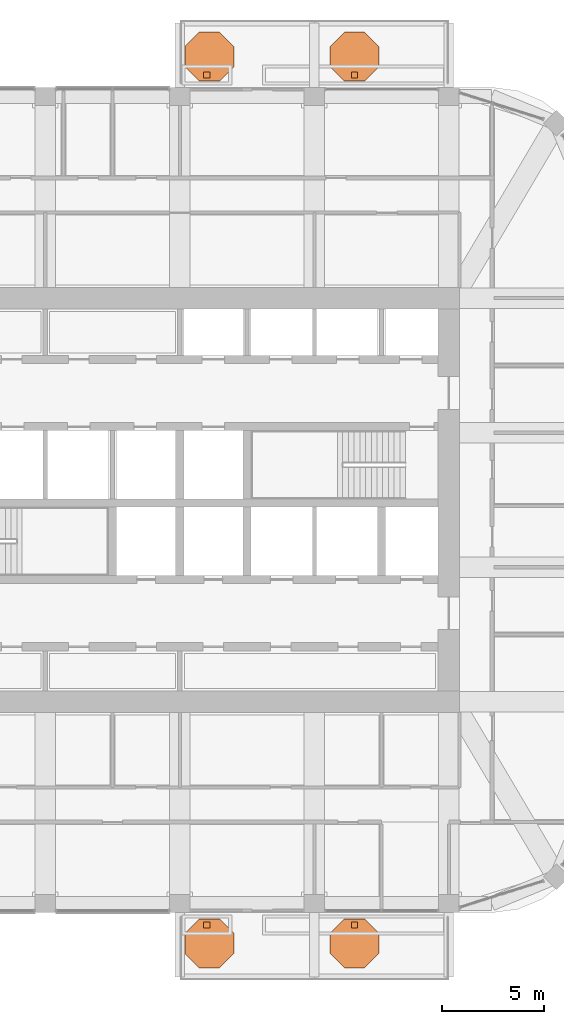
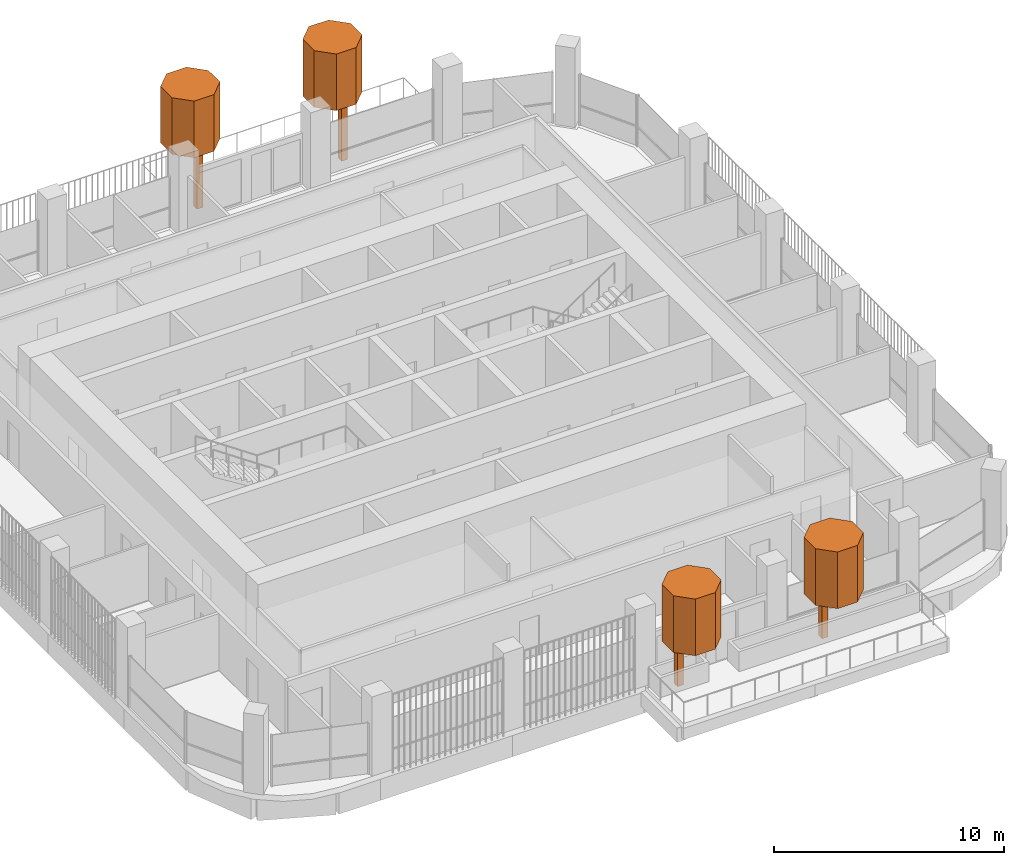
# One storey, part 21 of 21: 8 geographic elements.
"""IFC4 building model written with IfcOpenShell, lengths in metres."""

from ifc_helpers import new_model, si_unit, direction, frame, origin, origin_2d, place, context, subcontext, project, spatial, polyline, rectangle, outline, extrude, material, type_object, element, save


model = new_model("IFC4")

# Units and contexts
model_context = context("Model", 3, precision=1e-05, world=origin(), true_north=direction((0.0, 1.0)))
body_context = subcontext(model_context, "Body", "Model", "MODEL_VIEW")
ifc_project = project(units=[si_unit("LENGTHUNIT", "METRE"), si_unit("AREAUNIT", "SQUARE_METRE"), si_unit("VOLUMEUNIT", "CUBIC_METRE"), si_unit("PLANEANGLEUNIT", "RADIAN"), si_unit("MASSUNIT", "GRAM", prefix="KILO")], contexts=[model_context])

# Site, building, storey
site_placement = place(None, origin())
site = spatial("IfcSite", under=ifc_project, at=site_placement, CompositionType="ELEMENT")
building_placement = place(site_placement, origin())
building = spatial("IfcBuilding", under=site, at=building_placement, Name="Cobogo Forest Laboratory Tower", CompositionType="ELEMENT")
storey_placement = place(building_placement, frame((0.0, 0.0, 275.39990234375)))
storey = spatial("IfcBuildingStorey", under=building, at=storey_placement, Name="L63", CompositionType="ELEMENT", Elevation=275.39990234375)

# Geographic elements
ifc_material = material(Name="Planting", Category="plant")
geographic_element_type_1 = type_object("IfcGeographicElementType", Name="Tree trunk 300", PredefinedType="USERDEFINED", material=ifc_material)
for number, where, z_axis, x_axis, name in (
    (1, (27.72509765625, 2.25, 0.000244140625), (0.0, 0.0, 1.0), (1.0, 0.0, 0.0), "Tree trunk BAL-S1-PL1 L63"),
    (2, (34.97509765625, 2.25, 0.000244140625), (0.0, 0.0, 1.0), (1.0, 0.0, 0.0), "Tree trunk BAL-S1-PL2 L63"),
    (3, (27.72509765625, 43.949951171875, 0.000244140625), (0.0, 0.0, 1.0), (1.0, 0.0, 0.0), "Tree trunk BAL-N1-PL1 L63"),
    (4, (34.97509765625, 43.949951171875, 0.000244140625), (0.0, 0.0, 1.0), (1.0, 0.0, 0.0), "Tree trunk BAL-N1-PL2 L63"),
):
    element("IfcGeographicElement", number, at=place(storey_placement, frame(where, z_axis=z_axis, x_axis=x_axis)), inside=storey, type_object=geographic_element_type_1, Name=name, ObjectType="TREE TRUNK", PredefinedType="USERDEFINED", context=body_context, shape_type="SweptSolid", body=[
        extrude(rectangle(XDim=0.300048828125, YDim=0.300048828125, at=origin_2d()), origin(), (0.0, 0.0, 1.0), 2.89990234375),
    ])
geographic_element_type_2 = type_object("IfcGeographicElementType", Name="Tree, holm oak 5 m", PredefinedType="USERDEFINED", material=ifc_material)
geographic_element_1_placement = place(storey_placement, frame((0.0, 0.0, 2.900146484375)))
element("IfcGeographicElement", 5, at=geographic_element_1_placement, inside=storey, type_object=geographic_element_type_2, Name="Holm tree BAL-S1-PL1 L63", ObjectType="TREE", PredefinedType="USERDEFINED", context=body_context, shape_type="SweptSolid", body=[
    extrude(outline(polyline([(29.050048828125, 0.85302734375), (29.050048828125, 1.84716796875), (28.34716796875, 2.550048828125), (27.35302734375, 2.550048828125), (26.64990234375, 1.84716796875), (26.64990234375, 0.85302734375), (27.35302734375, 0.14990234375), (28.34716796875, 0.14990234375), (29.050048828125, 0.85302734375)])), origin(), (0.0, 0.0, 1.0), 3.0),
])
geographic_element_2_placement = place(storey_placement, frame((0.0, 0.0, 2.900146484375)))
element("IfcGeographicElement", 6, at=geographic_element_2_placement, inside=storey, type_object=geographic_element_type_2, Name="Holm tree BAL-S1-PL2 L63", ObjectType="TREE", PredefinedType="USERDEFINED", context=body_context, shape_type="SweptSolid", body=[
    extrude(outline(polyline([(36.175048828125, 0.85302734375), (36.175048828125, 1.84716796875), (35.47216796875, 2.550048828125), (34.47802734375, 2.550048828125), (33.77490234375, 1.84716796875), (33.77490234375, 0.85302734375), (34.47802734375, 0.14990234375), (35.47216796875, 0.14990234375), (36.175048828125, 0.85302734375)])), origin(), (0.0, 0.0, 1.0), 3.0),
])
geographic_element_3_placement = place(storey_placement, frame((0.0, 0.0, 2.900146484375)))
element("IfcGeographicElement", 7, at=geographic_element_3_placement, inside=storey, type_object=geographic_element_type_2, Name="Holm tree BAL-N1-PL1 L63", ObjectType="TREE", PredefinedType="USERDEFINED", context=body_context, shape_type="SweptSolid", body=[
    extrude(outline(polyline([(29.050048828125, 44.35302734375), (29.050048828125, 45.34716796875), (28.34716796875, 46.050048828125), (27.35302734375, 46.050048828125), (26.64990234375, 45.34716796875), (26.64990234375, 44.35302734375), (27.35302734375, 43.64990234375), (28.34716796875, 43.64990234375), (29.050048828125, 44.35302734375)])), origin(), (0.0, 0.0, 1.0), 3.0),
])
geographic_element_4_placement = place(storey_placement, frame((0.0, 0.0, 2.900146484375)))
element("IfcGeographicElement", 8, at=geographic_element_4_placement, inside=storey, type_object=geographic_element_type_2, Name="Holm tree BAL-N1-PL2 L63", ObjectType="TREE", PredefinedType="USERDEFINED", context=body_context, shape_type="SweptSolid", body=[
    extrude(outline(polyline([(36.175048828125, 44.35302734375), (36.175048828125, 45.34716796875), (35.47216796875, 46.050048828125), (34.47802734375, 46.050048828125), (33.77490234375, 45.34716796875), (33.77490234375, 44.35302734375), (34.47802734375, 43.64990234375), (35.47216796875, 43.64990234375), (36.175048828125, 44.35302734375)])), origin(), (0.0, 0.0, 1.0), 3.0),
])

save(model, "model.ifc")
